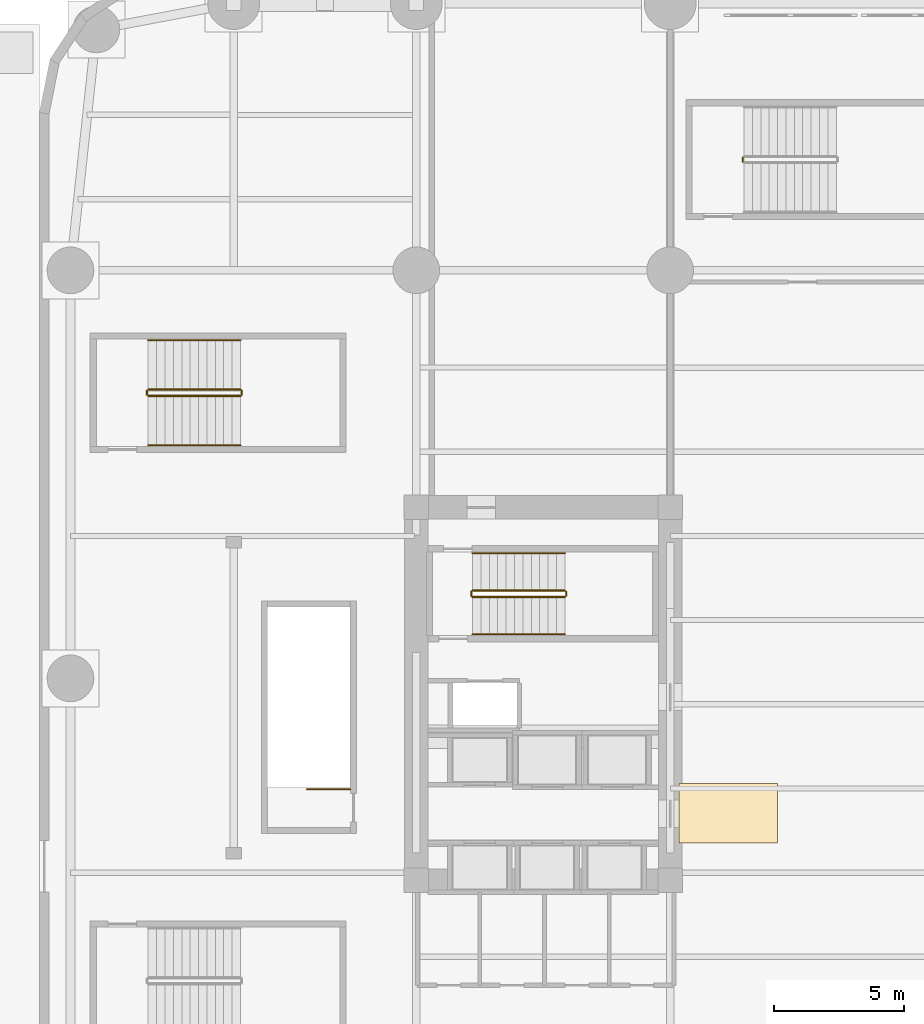
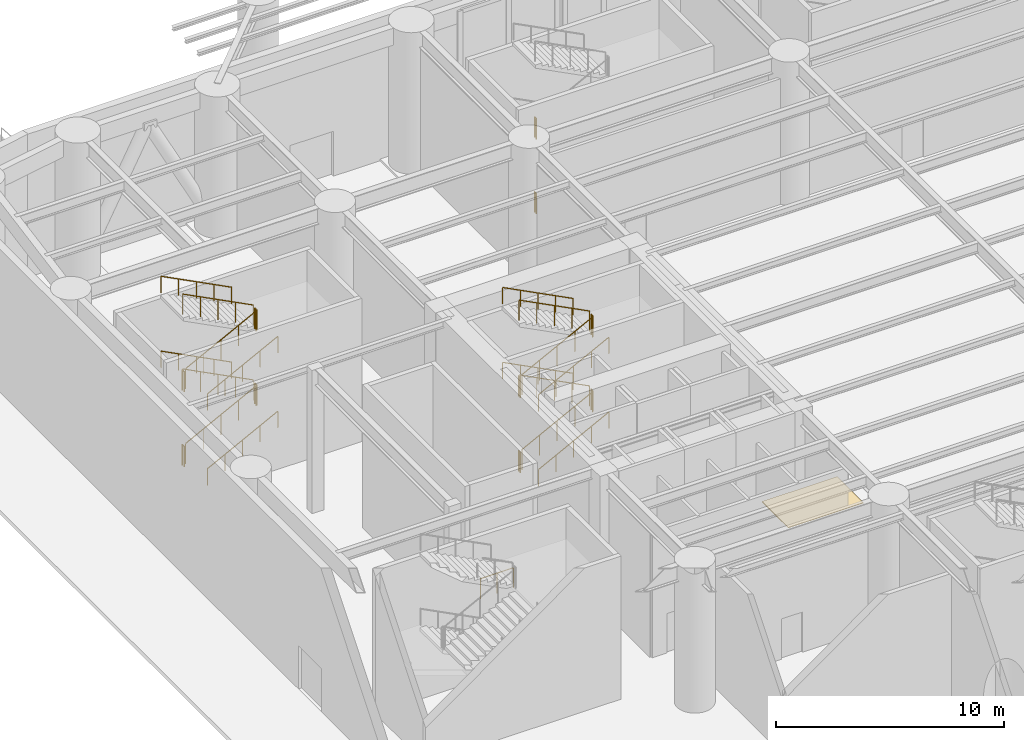
# One storey, part 18 of 25: 27 railings, 1 covering.
"""IFC4 building model written with IfcOpenShell, lengths in metres."""

from ifc_helpers import new_model, si_unit, direction, frame, origin, origin_2d, place, context, subcontext, project, spatial, polyline, circle, outline, extrude, material, layer, layer_set, type_object, element, save


model = new_model("IFC4")

# Units and contexts
model_context = context("Model", 3, precision=1e-05, world=origin(), true_north=direction((0.0, 1.0)))
body_context = subcontext(model_context, "Body", "Model", "MODEL_VIEW")
ifc_project = project(units=[si_unit("LENGTHUNIT", "METRE"), si_unit("AREAUNIT", "SQUARE_METRE"), si_unit("VOLUMEUNIT", "CUBIC_METRE"), si_unit("PLANEANGLEUNIT", "RADIAN"), si_unit("MASSUNIT", "GRAM", prefix="KILO")], contexts=[model_context])

# Site, building, storey
site_placement = place(None, origin())
site = spatial("IfcSite", under=ifc_project, at=site_placement, CompositionType="ELEMENT")
building_placement = place(site_placement, origin())
building = spatial("IfcBuilding", under=site, at=building_placement, Name="Kolvaren Arena Tower", CompositionType="ELEMENT")
storey_placement = place(building_placement, origin())
storey = spatial("IfcBuildingStorey", under=building, at=storey_placement, Name="L00", CompositionType="ELEMENT", Elevation=0.0)

# Covering
ifc_material_1 = material(Name="Polished granite terrazzo flooring", Category="masonry")
ifc_layer = layer(ifc_material_1, 0.034912109375)
ifc_layer_set = layer_set([ifc_layer], Name="Polished granite terrazzo flooring")
covering_type = type_object("IfcCoveringType", Name="FLOR-TRZ-1", PredefinedType="FLOORING", material=ifc_layer_set)
covering_placement = place(storey_placement, origin())
element("IfcCovering", 1, at=covering_placement, inside=storey, type_object=covering_type, Name="Floor Finish (L00)", PredefinedType="FLOORING", context=body_context, shape_type="SweptSolid", body=[
    extrude(outline(polyline([(24.699951171875, 20.89990234375), (24.699951171875, 23.199951171875), (28.5, 23.199951171875), (28.5, 20.89990234375), (24.699951171875, 20.89990234375)])), origin(), (0.0, 0.0, 1.0), 0.034912109375),
])

# Railings
ifc_material_2 = material(Name="Painted galvanized steel", Category="steel")
railing_type_1 = type_object("IfcRailingType", Name="GUARD-ST-110", PredefinedType="GUARDRAIL", material=ifc_material_2)
railing_1_placement = place(storey_placement, frame((16.719970703125, 30.389892578125, 0.166748046875)))
element("IfcRailing", 2, at=railing_1_placement, inside=storey, type_object=railing_type_1, Name="L00 ST-W1 stair guard 1", PredefinedType="GUARDRAIL", context=body_context, shape_type="SweptSolid", body=[
    extrude(circle(Radius=0.02392578125, at=origin_2d()), frame((0.0, 0.0, 1.076171875), z_axis=(0.889251698267, 0.0, 0.45741820813), x_axis=(0.0, 1.0, 0.0)), (0.0, 0.0, 1.0), 4.0078125),
    extrude(circle(Radius=0.02099609375, at=origin_2d()), origin(), (0.0, 0.0, 1.0), 1.052001953125),
    extrude(circle(Radius=0.02099609375, at=origin_2d()), frame((0.89111328125, 0.0, 0.458251953125)), (0.0, 0.0, 1.0), 1.052001953125),
    extrude(circle(Radius=0.02099609375, at=origin_2d()), frame((1.781982421875, 0.0, 0.91650390625)), (0.0, 0.0, 1.0), 1.052001953125),
    extrude(circle(Radius=0.02099609375, at=origin_2d()), frame((2.6728515625, 0.0, 1.375)), (0.0, 0.0, 1.0), 1.052001953125),
    extrude(circle(Radius=0.02099609375, at=origin_2d()), frame((3.56396484375, 0.0, 1.833251953125)), (0.0, 0.0, 1.0), 1.052001953125),
])
railing_2_placement = place(storey_placement, frame((20.333984375, 30.43994140625, 2.0)))
element("IfcRailing", 3, at=railing_2_placement, inside=storey, type_object=railing_type_1, Name="L00 ST-W1 stair guard 2", PredefinedType="GUARDRAIL", context=body_context, shape_type="SweptSolid", body=[
    extrude(circle(Radius=0.02392578125, at=origin_2d()), frame((0.0, 0.0, 1.076171875), z_axis=(0.0, 1.0, 0.0), x_axis=(-1.0, 0.0, 0.0)), (0.0, 0.0, 1.0), 0.150146484375),
    extrude(circle(Radius=0.02099609375, at=origin_2d()), origin(), (0.0, 0.0, 1.0), 1.052001953125),
    extrude(circle(Radius=0.02099609375, at=origin_2d()), frame((0.0, 0.150146484375, 0.0)), (0.0, 0.0, 1.0), 1.052001953125),
])
railing_3_placement = place(storey_placement, frame((20.283935546875, 30.639892578125, 2.166748046875)))
element("IfcRailing", 4, at=railing_3_placement, inside=storey, type_object=railing_type_1, Name="L00 ST-W1 stair guard 3", PredefinedType="GUARDRAIL", context=body_context, shape_type="SweptSolid", body=[
    extrude(circle(Radius=0.02392578125, at=origin_2d()), frame((0.0, 0.0, 1.076171875), z_axis=(-0.889251698267, 0.0, 0.45741820813), x_axis=(0.0, -1.0, 0.0)), (0.0, 0.0, 1.0), 4.0078125),
    extrude(circle(Radius=0.02099609375, at=origin_2d()), origin(), (0.0, 0.0, 1.0), 1.052001953125),
    extrude(circle(Radius=0.02099609375, at=origin_2d()), frame((-0.89111328125, 0.0, 0.458251953125)), (0.0, 0.0, 1.0), 1.052001953125),
    extrude(circle(Radius=0.02099609375, at=origin_2d()), frame((-1.781982421875, 0.0, 0.91650390625)), (0.0, 0.0, 1.0), 1.052001953125),
    extrude(circle(Radius=0.02099609375, at=origin_2d()), frame((-2.6728515625, 0.0, 1.375)), (0.0, 0.0, 1.0), 1.052001953125),
    extrude(circle(Radius=0.02099609375, at=origin_2d()), frame((-3.56396484375, 0.0, 1.833251953125)), (0.0, 0.0, 1.0), 1.052001953125),
])
railing_4_placement = place(storey_placement, frame((16.669921875, 30.43994140625, 4.0)))
element("IfcRailing", 5, at=railing_4_placement, inside=storey, type_object=railing_type_1, Name="L00 ST-W1 stair guard 4", PredefinedType="GUARDRAIL", context=body_context, shape_type="SweptSolid", body=[
    extrude(circle(Radius=0.02392578125, at=origin_2d()), frame((0.0, 0.0, 1.076171875), z_axis=(0.0, 1.0, 0.0), x_axis=(-1.0, 0.0, 0.0)), (0.0, 0.0, 1.0), 0.150146484375),
    extrude(circle(Radius=0.02099609375, at=origin_2d()), origin(), (0.0, 0.0, 1.0), 1.052001953125),
    extrude(circle(Radius=0.02099609375, at=origin_2d()), frame((0.0, 0.150146484375, 0.0)), (0.0, 0.0, 1.0), 1.052001953125),
])
railing_5_placement = place(storey_placement, frame((16.719970703125, 30.389892578125, 4.166748046875)))
element("IfcRailing", 6, at=railing_5_placement, inside=storey, type_object=railing_type_1, Name="L00 ST-W1 stair guard 5", PredefinedType="GUARDRAIL", context=body_context, shape_type="SweptSolid", body=[
    extrude(circle(Radius=0.02392578125, at=origin_2d()), frame((0.0, 0.0, 1.076171875), z_axis=(0.889251698267, 0.0, 0.45741820813), x_axis=(0.0, 1.0, 0.0)), (0.0, 0.0, 1.0), 4.0078125),
    extrude(circle(Radius=0.02099609375, at=origin_2d()), origin(), (0.0, 0.0, 1.0), 1.052001953125),
    extrude(circle(Radius=0.02099609375, at=origin_2d()), frame((0.89111328125, 0.0, 0.458251953125)), (0.0, 0.0, 1.0), 1.052001953125),
    extrude(circle(Radius=0.02099609375, at=origin_2d()), frame((1.781982421875, 0.0, 0.91650390625)), (0.0, 0.0, 1.0), 1.052001953125),
    extrude(circle(Radius=0.02099609375, at=origin_2d()), frame((2.6728515625, 0.0, 1.375)), (0.0, 0.0, 1.0), 1.052001953125),
    extrude(circle(Radius=0.02099609375, at=origin_2d()), frame((3.56396484375, 0.0, 1.833251953125)), (0.0, 0.0, 1.0), 1.052001953125),
])
railing_6_placement = place(storey_placement, frame((20.333984375, 30.43994140625, 6.0)))
element("IfcRailing", 7, at=railing_6_placement, inside=storey, type_object=railing_type_1, Name="L00 ST-W1 stair guard 6", PredefinedType="GUARDRAIL", context=body_context, shape_type="SweptSolid", body=[
    extrude(circle(Radius=0.02392578125, at=origin_2d()), frame((0.0, 0.0, 1.076171875), z_axis=(0.0, 1.0, 0.0), x_axis=(-1.0, 0.0, 0.0)), (0.0, 0.0, 1.0), 0.150146484375),
    extrude(circle(Radius=0.02099609375, at=origin_2d()), origin(), (0.0, 0.0, 1.0), 1.052001953125),
    extrude(circle(Radius=0.02099609375, at=origin_2d()), frame((0.0, 0.150146484375, 0.0)), (0.0, 0.0, 1.0), 1.052001953125),
])
railing_7_placement = place(storey_placement, frame((20.283935546875, 30.639892578125, 6.166748046875)))
element("IfcRailing", 8, at=railing_7_placement, inside=storey, type_object=railing_type_1, Name="L00 ST-W1 stair guard 7", PredefinedType="GUARDRAIL", context=body_context, shape_type="SweptSolid", body=[
    extrude(circle(Radius=0.02392578125, at=origin_2d()), frame((0.0, 0.0, 1.076171875), z_axis=(-0.889251698267, 0.0, 0.45741820813), x_axis=(0.0, -1.0, 0.0)), (0.0, 0.0, 1.0), 4.0078125),
    extrude(circle(Radius=0.02099609375, at=origin_2d()), origin(), (0.0, 0.0, 1.0), 1.052001953125),
    extrude(circle(Radius=0.02099609375, at=origin_2d()), frame((-0.89111328125, 0.0, 0.458251953125)), (0.0, 0.0, 1.0), 1.052001953125),
    extrude(circle(Radius=0.02099609375, at=origin_2d()), frame((-1.781982421875, 0.0, 0.91650390625)), (0.0, 0.0, 1.0), 1.052001953125),
    extrude(circle(Radius=0.02099609375, at=origin_2d()), frame((-2.6728515625, 0.0, 1.375)), (0.0, 0.0, 1.0), 1.052001953125),
    extrude(circle(Radius=0.02099609375, at=origin_2d()), frame((-3.56396484375, 0.0, 1.833251953125)), (0.0, 0.0, 1.0), 1.052001953125),
])
railing_8_placement = place(storey_placement, frame((16.669921875, 30.43994140625, 0.0)))
element("IfcRailing", 9, at=railing_8_placement, inside=storey, type_object=railing_type_1, Name="L00 ST-W1 stair guard 8", PredefinedType="GUARDRAIL", context=body_context, shape_type="SweptSolid", body=[
    extrude(circle(Radius=0.02392578125, at=origin_2d()), frame((0.0, 0.0, 1.076171875), z_axis=(0.0, 1.0, 0.0), x_axis=(-1.0, 0.0, 0.0)), (0.0, 0.0, 1.0), 0.150146484375),
    extrude(circle(Radius=0.02099609375, at=origin_2d()), origin(), (0.0, 0.0, 1.0), 1.052001953125),
    extrude(circle(Radius=0.02099609375, at=origin_2d()), frame((0.0, 0.150146484375, 0.0)), (0.0, 0.0, 1.0), 1.052001953125),
])
railing_9_placement = place(storey_placement, frame((4.199951171875, 38.14990234375, 0.166748046875)))
element("IfcRailing", 10, at=railing_9_placement, inside=storey, type_object=railing_type_1, Name="L00 ST-A5 stair guard 1", PredefinedType="GUARDRAIL", context=body_context, shape_type="SweptSolid", body=[
    extrude(circle(Radius=0.02392578125, at=origin_2d()), frame((0.0, 0.0, 1.076171875), z_axis=(0.889251698267, 0.0, 0.45741820813), x_axis=(0.0, 1.0, 0.0)), (0.0, 0.0, 1.0), 4.0078125),
    extrude(circle(Radius=0.02099609375, at=origin_2d()), origin(), (0.0, 0.0, 1.0), 1.052001953125),
    extrude(circle(Radius=0.02099609375, at=origin_2d()), frame((0.89111328125, 0.0, 0.458251953125)), (0.0, 0.0, 1.0), 1.052001953125),
    extrude(circle(Radius=0.02099609375, at=origin_2d()), frame((1.781982421875, 0.0, 0.91650390625)), (0.0, 0.0, 1.0), 1.052001953125),
    extrude(circle(Radius=0.02099609375, at=origin_2d()), frame((2.6728515625, 0.0, 1.375)), (0.0, 0.0, 1.0), 1.052001953125),
    extrude(circle(Radius=0.02099609375, at=origin_2d()), frame((3.56396484375, 0.0, 1.833251953125)), (0.0, 0.0, 1.0), 1.052001953125),
])
railing_10_placement = place(storey_placement, frame((7.81396484375, 38.199951171875, 2.0)))
element("IfcRailing", 11, at=railing_10_placement, inside=storey, type_object=railing_type_1, Name="L00 ST-A5 stair guard 2", PredefinedType="GUARDRAIL", context=body_context, shape_type="SweptSolid", body=[
    extrude(circle(Radius=0.02392578125, at=origin_2d()), frame((0.0, 0.0, 1.076171875), z_axis=(0.0, 1.0, 0.0), x_axis=(-1.0, 0.0, 0.0)), (0.0, 0.0, 1.0), 0.150146484375),
    extrude(circle(Radius=0.02099609375, at=origin_2d()), origin(), (0.0, 0.0, 1.0), 1.052001953125),
    extrude(circle(Radius=0.02099609375, at=origin_2d()), frame((0.0, 0.150146484375, 0.0)), (0.0, 0.0, 1.0), 1.052001953125),
])
railing_11_placement = place(storey_placement, frame((7.763916015625, 38.39990234375, 2.166748046875)))
element("IfcRailing", 12, at=railing_11_placement, inside=storey, type_object=railing_type_1, Name="L00 ST-A5 stair guard 3", PredefinedType="GUARDRAIL", context=body_context, shape_type="SweptSolid", body=[
    extrude(circle(Radius=0.02392578125, at=origin_2d()), frame((0.0, 0.0, 1.076171875), z_axis=(-0.889251698267, 0.0, 0.45741820813), x_axis=(0.0, -1.0, 0.0)), (0.0, 0.0, 1.0), 4.0078125),
    extrude(circle(Radius=0.02099609375, at=origin_2d()), origin(), (0.0, 0.0, 1.0), 1.052001953125),
    extrude(circle(Radius=0.02099609375, at=origin_2d()), frame((-0.89111328125, 0.0, 0.458251953125)), (0.0, 0.0, 1.0), 1.052001953125),
    extrude(circle(Radius=0.02099609375, at=origin_2d()), frame((-1.781982421875, 0.0, 0.91650390625)), (0.0, 0.0, 1.0), 1.052001953125),
    extrude(circle(Radius=0.02099609375, at=origin_2d()), frame((-2.6728515625, 0.0, 1.375)), (0.0, 0.0, 1.0), 1.052001953125),
    extrude(circle(Radius=0.02099609375, at=origin_2d()), frame((-3.56396484375, 0.0, 1.833251953125)), (0.0, 0.0, 1.0), 1.052001953125),
])
railing_12_placement = place(storey_placement, frame((4.14990234375, 38.199951171875, 4.0)))
element("IfcRailing", 13, at=railing_12_placement, inside=storey, type_object=railing_type_1, Name="L00 ST-A5 stair guard 4", PredefinedType="GUARDRAIL", context=body_context, shape_type="SweptSolid", body=[
    extrude(circle(Radius=0.02392578125, at=origin_2d()), frame((0.0, 0.0, 1.076171875), z_axis=(0.0, 1.0, 0.0), x_axis=(-1.0, 0.0, 0.0)), (0.0, 0.0, 1.0), 0.150146484375),
    extrude(circle(Radius=0.02099609375, at=origin_2d()), origin(), (0.0, 0.0, 1.0), 1.052001953125),
    extrude(circle(Radius=0.02099609375, at=origin_2d()), frame((0.0, 0.150146484375, 0.0)), (0.0, 0.0, 1.0), 1.052001953125),
])
railing_13_placement = place(storey_placement, frame((4.199951171875, 38.14990234375, 4.166748046875)))
element("IfcRailing", 14, at=railing_13_placement, inside=storey, type_object=railing_type_1, Name="L00 ST-A5 stair guard 5", PredefinedType="GUARDRAIL", context=body_context, shape_type="SweptSolid", body=[
    extrude(circle(Radius=0.02392578125, at=origin_2d()), frame((0.0, 0.0, 1.076171875), z_axis=(0.889251698267, 0.0, 0.45741820813), x_axis=(0.0, 1.0, 0.0)), (0.0, 0.0, 1.0), 4.0078125),
    extrude(circle(Radius=0.02099609375, at=origin_2d()), origin(), (0.0, 0.0, 1.0), 1.052001953125),
    extrude(circle(Radius=0.02099609375, at=origin_2d()), frame((0.89111328125, 0.0, 0.458251953125)), (0.0, 0.0, 1.0), 1.052001953125),
    extrude(circle(Radius=0.02099609375, at=origin_2d()), frame((1.781982421875, 0.0, 0.91650390625)), (0.0, 0.0, 1.0), 1.052001953125),
    extrude(circle(Radius=0.02099609375, at=origin_2d()), frame((2.6728515625, 0.0, 1.375)), (0.0, 0.0, 1.0), 1.052001953125),
    extrude(circle(Radius=0.02099609375, at=origin_2d()), frame((3.56396484375, 0.0, 1.833251953125)), (0.0, 0.0, 1.0), 1.052001953125),
])
railing_14_placement = place(storey_placement, frame((7.81396484375, 38.199951171875, 6.0)))
element("IfcRailing", 15, at=railing_14_placement, inside=storey, type_object=railing_type_1, Name="L00 ST-A5 stair guard 6", PredefinedType="GUARDRAIL", context=body_context, shape_type="SweptSolid", body=[
    extrude(circle(Radius=0.02392578125, at=origin_2d()), frame((0.0, 0.0, 1.076171875), z_axis=(0.0, 1.0, 0.0), x_axis=(-1.0, 0.0, 0.0)), (0.0, 0.0, 1.0), 0.150146484375),
    extrude(circle(Radius=0.02099609375, at=origin_2d()), origin(), (0.0, 0.0, 1.0), 1.052001953125),
    extrude(circle(Radius=0.02099609375, at=origin_2d()), frame((0.0, 0.150146484375, 0.0)), (0.0, 0.0, 1.0), 1.052001953125),
])
railing_15_placement = place(storey_placement, frame((7.763916015625, 38.39990234375, 6.166748046875)))
element("IfcRailing", 16, at=railing_15_placement, inside=storey, type_object=railing_type_1, Name="L00 ST-A5 stair guard 7", PredefinedType="GUARDRAIL", context=body_context, shape_type="SweptSolid", body=[
    extrude(circle(Radius=0.02392578125, at=origin_2d()), frame((0.0, 0.0, 1.076171875), z_axis=(-0.889251698267, 0.0, 0.45741820813), x_axis=(0.0, -1.0, 0.0)), (0.0, 0.0, 1.0), 4.0078125),
    extrude(circle(Radius=0.02099609375, at=origin_2d()), origin(), (0.0, 0.0, 1.0), 1.052001953125),
    extrude(circle(Radius=0.02099609375, at=origin_2d()), frame((-0.89111328125, 0.0, 0.458251953125)), (0.0, 0.0, 1.0), 1.052001953125),
    extrude(circle(Radius=0.02099609375, at=origin_2d()), frame((-1.781982421875, 0.0, 0.91650390625)), (0.0, 0.0, 1.0), 1.052001953125),
    extrude(circle(Radius=0.02099609375, at=origin_2d()), frame((-2.6728515625, 0.0, 1.375)), (0.0, 0.0, 1.0), 1.052001953125),
    extrude(circle(Radius=0.02099609375, at=origin_2d()), frame((-3.56396484375, 0.0, 1.833251953125)), (0.0, 0.0, 1.0), 1.052001953125),
])
for number, where, name in (
    (17, (4.14990234375, 38.199951171875, 0.0), "L00 ST-A5 stair guard 8"),
    (18, (27.14990234375, 47.199951171875, 4.0), "L00 ST-A6 stair guard 4"),
    (19, (27.14990234375, 47.199951171875, 0.0), "L00 ST-A6 stair guard 8"),
):
    element("IfcRailing", number, at=place(storey_placement, frame(where)), inside=storey, type_object=railing_type_1, Name=name, PredefinedType="GUARDRAIL", context=body_context, shape_type="SweptSolid", body=[
        extrude(circle(Radius=0.02392578125, at=origin_2d()), frame((0.0, 0.0, 1.076171875), z_axis=(0.0, 1.0, 0.0), x_axis=(-1.0, 0.0, 0.0)), (0.0, 0.0, 1.0), 0.150146484375),
        extrude(circle(Radius=0.02099609375, at=origin_2d()), origin(), (0.0, 0.0, 1.0), 1.052001953125),
        extrude(circle(Radius=0.02099609375, at=origin_2d()), frame((0.0, 0.150146484375, 0.0)), (0.0, 0.0, 1.0), 1.052001953125),
    ])
railing_16_placement = place(storey_placement, frame((12.0, 22.969970703125, 0.0)))
element("IfcRailing", 20, at=railing_16_placement, inside=storey, type_object=railing_type_1, Name="L00 ST-B1 top well guard 1", PredefinedType="GUARDRAIL", context=body_context, shape_type="SweptSolid", body=[
    extrude(circle(Radius=0.02392578125, at=origin_2d()), frame((0.0, 0.0, 1.076171875), z_axis=(-1.0, 0.0, 0.0), x_axis=(0.0, -1.0, 0.0)), (0.0, 0.0, 1.0), 1.669921875),
    extrude(circle(Radius=0.02099609375, at=origin_2d()), origin(), (0.0, 0.0, 1.0), 1.052001953125),
    extrude(circle(Radius=0.02099609375, at=origin_2d()), frame((-0.8349609375, 0.0, 0.0)), (0.0, 0.0, 1.0), 1.052001953125),
    extrude(circle(Radius=0.02099609375, at=origin_2d()), frame((-1.669921875, 0.0, 0.0)), (0.0, 0.0, 1.0), 1.052001953125),
])
ifc_material_3 = material(Name="Brushed stainless steel handrail", Category="steel")
railing_type_2 = type_object("IfcRailingType", Name="HRAIL-900", PredefinedType="HANDRAIL", material=ifc_material_3)
railing_17_placement = place(storey_placement, frame((16.719970703125, 28.949951171875, 0.166748046875)))
element("IfcRailing", 21, at=railing_17_placement, inside=storey, type_object=railing_type_2, Name="L00 ST-W1 stair handrail 1", PredefinedType="HANDRAIL", context=body_context, shape_type="SweptSolid", body=[
    extrude(circle(Radius=0.02392578125, at=origin_2d()), frame((0.0, 0.0, 0.8759765625), z_axis=(0.889251698267, 0.0, 0.45741820813), x_axis=(0.0, 1.0, 0.0)), (0.0, 0.0, 1.0), 4.0078125),
    extrude(circle(Radius=0.02099609375, at=origin_2d()), origin(), (0.0, 0.0, 1.0), 0.851806640625),
    extrude(circle(Radius=0.02099609375, at=origin_2d()), frame((0.89111328125, 0.0, 0.458251953125)), (0.0, 0.0, 1.0), 0.851806640625),
    extrude(circle(Radius=0.02099609375, at=origin_2d()), frame((1.781982421875, 0.0, 0.91650390625)), (0.0, 0.0, 1.0), 0.851806640625),
    extrude(circle(Radius=0.02099609375, at=origin_2d()), frame((2.6728515625, 0.0, 1.375)), (0.0, 0.0, 1.0), 0.851806640625),
    extrude(circle(Radius=0.02099609375, at=origin_2d()), frame((3.56396484375, 0.0, 1.833251953125)), (0.0, 0.0, 1.0), 0.851806640625),
])
railing_18_placement = place(storey_placement, frame((20.283935546875, 32.080078125, 2.166748046875)))
element("IfcRailing", 22, at=railing_18_placement, inside=storey, type_object=railing_type_2, Name="L00 ST-W1 stair handrail 2", PredefinedType="HANDRAIL", context=body_context, shape_type="SweptSolid", body=[
    extrude(circle(Radius=0.02392578125, at=origin_2d()), frame((0.0, 0.0, 0.8759765625), z_axis=(-0.889251698267, 0.0, 0.45741820813), x_axis=(0.0, -1.0, 0.0)), (0.0, 0.0, 1.0), 4.0078125),
    extrude(circle(Radius=0.02099609375, at=origin_2d()), origin(), (0.0, 0.0, 1.0), 0.851806640625),
    extrude(circle(Radius=0.02099609375, at=origin_2d()), frame((-0.89111328125, 0.0, 0.458251953125)), (0.0, 0.0, 1.0), 0.851806640625),
    extrude(circle(Radius=0.02099609375, at=origin_2d()), frame((-1.781982421875, 0.0, 0.91650390625)), (0.0, 0.0, 1.0), 0.851806640625),
    extrude(circle(Radius=0.02099609375, at=origin_2d()), frame((-2.6728515625, 0.0, 1.375)), (0.0, 0.0, 1.0), 0.851806640625),
    extrude(circle(Radius=0.02099609375, at=origin_2d()), frame((-3.56396484375, 0.0, 1.833251953125)), (0.0, 0.0, 1.0), 0.851806640625),
])
railing_19_placement = place(storey_placement, frame((16.719970703125, 28.949951171875, 4.166748046875)))
element("IfcRailing", 23, at=railing_19_placement, inside=storey, type_object=railing_type_2, Name="L00 ST-W1 stair handrail 3", PredefinedType="HANDRAIL", context=body_context, shape_type="SweptSolid", body=[
    extrude(circle(Radius=0.02392578125, at=origin_2d()), frame((0.0, 0.0, 0.8759765625), z_axis=(0.889251698267, 0.0, 0.45741820813), x_axis=(0.0, 1.0, 0.0)), (0.0, 0.0, 1.0), 4.0078125),
    extrude(circle(Radius=0.02099609375, at=origin_2d()), origin(), (0.0, 0.0, 1.0), 0.851806640625),
    extrude(circle(Radius=0.02099609375, at=origin_2d()), frame((0.89111328125, 0.0, 0.458251953125)), (0.0, 0.0, 1.0), 0.851806640625),
    extrude(circle(Radius=0.02099609375, at=origin_2d()), frame((1.781982421875, 0.0, 0.91650390625)), (0.0, 0.0, 1.0), 0.851806640625),
    extrude(circle(Radius=0.02099609375, at=origin_2d()), frame((2.6728515625, 0.0, 1.375)), (0.0, 0.0, 1.0), 0.851806640625),
    extrude(circle(Radius=0.02099609375, at=origin_2d()), frame((3.56396484375, 0.0, 1.833251953125)), (0.0, 0.0, 1.0), 0.851806640625),
])
railing_20_placement = place(storey_placement, frame((20.283935546875, 32.080078125, 6.166748046875)))
element("IfcRailing", 24, at=railing_20_placement, inside=storey, type_object=railing_type_2, Name="L00 ST-W1 stair handrail 4", PredefinedType="HANDRAIL", context=body_context, shape_type="SweptSolid", body=[
    extrude(circle(Radius=0.02392578125, at=origin_2d()), frame((0.0, 0.0, 0.8759765625), z_axis=(-0.889251698267, 0.0, 0.45741820813), x_axis=(0.0, -1.0, 0.0)), (0.0, 0.0, 1.0), 4.0078125),
    extrude(circle(Radius=0.02099609375, at=origin_2d()), origin(), (0.0, 0.0, 1.0), 0.851806640625),
    extrude(circle(Radius=0.02099609375, at=origin_2d()), frame((-0.89111328125, 0.0, 0.458251953125)), (0.0, 0.0, 1.0), 0.851806640625),
    extrude(circle(Radius=0.02099609375, at=origin_2d()), frame((-1.781982421875, 0.0, 0.91650390625)), (0.0, 0.0, 1.0), 0.851806640625),
    extrude(circle(Radius=0.02099609375, at=origin_2d()), frame((-2.6728515625, 0.0, 1.375)), (0.0, 0.0, 1.0), 0.851806640625),
    extrude(circle(Radius=0.02099609375, at=origin_2d()), frame((-3.56396484375, 0.0, 1.833251953125)), (0.0, 0.0, 1.0), 0.851806640625),
])
railing_21_placement = place(storey_placement, frame((4.199951171875, 36.25, 0.166748046875)))
element("IfcRailing", 25, at=railing_21_placement, inside=storey, type_object=railing_type_2, Name="L00 ST-A5 stair handrail 1", PredefinedType="HANDRAIL", context=body_context, shape_type="SweptSolid", body=[
    extrude(circle(Radius=0.02392578125, at=origin_2d()), frame((0.0, 0.0, 0.8759765625), z_axis=(0.889251698267, 0.0, 0.45741820813), x_axis=(0.0, 1.0, 0.0)), (0.0, 0.0, 1.0), 4.0078125),
    extrude(circle(Radius=0.02099609375, at=origin_2d()), origin(), (0.0, 0.0, 1.0), 0.851806640625),
    extrude(circle(Radius=0.02099609375, at=origin_2d()), frame((0.89111328125, 0.0, 0.458251953125)), (0.0, 0.0, 1.0), 0.851806640625),
    extrude(circle(Radius=0.02099609375, at=origin_2d()), frame((1.781982421875, 0.0, 0.91650390625)), (0.0, 0.0, 1.0), 0.851806640625),
    extrude(circle(Radius=0.02099609375, at=origin_2d()), frame((2.6728515625, 0.0, 1.375)), (0.0, 0.0, 1.0), 0.851806640625),
    extrude(circle(Radius=0.02099609375, at=origin_2d()), frame((3.56396484375, 0.0, 1.833251953125)), (0.0, 0.0, 1.0), 0.851806640625),
])
railing_22_placement = place(storey_placement, frame((7.763916015625, 40.300048828125, 2.166748046875)))
element("IfcRailing", 26, at=railing_22_placement, inside=storey, type_object=railing_type_2, Name="L00 ST-A5 stair handrail 2", PredefinedType="HANDRAIL", context=body_context, shape_type="SweptSolid", body=[
    extrude(circle(Radius=0.02392578125, at=origin_2d()), frame((0.0, 0.0, 0.8759765625), z_axis=(-0.889251698267, 0.0, 0.45741820813), x_axis=(0.0, -1.0, 0.0)), (0.0, 0.0, 1.0), 4.0078125),
    extrude(circle(Radius=0.02099609375, at=origin_2d()), origin(), (0.0, 0.0, 1.0), 0.851806640625),
    extrude(circle(Radius=0.02099609375, at=origin_2d()), frame((-0.89111328125, 0.0, 0.458251953125)), (0.0, 0.0, 1.0), 0.851806640625),
    extrude(circle(Radius=0.02099609375, at=origin_2d()), frame((-1.781982421875, 0.0, 0.91650390625)), (0.0, 0.0, 1.0), 0.851806640625),
    extrude(circle(Radius=0.02099609375, at=origin_2d()), frame((-2.6728515625, 0.0, 1.375)), (0.0, 0.0, 1.0), 0.851806640625),
    extrude(circle(Radius=0.02099609375, at=origin_2d()), frame((-3.56396484375, 0.0, 1.833251953125)), (0.0, 0.0, 1.0), 0.851806640625),
])
railing_23_placement = place(storey_placement, frame((4.199951171875, 36.25, 4.166748046875)))
element("IfcRailing", 27, at=railing_23_placement, inside=storey, type_object=railing_type_2, Name="L00 ST-A5 stair handrail 3", PredefinedType="HANDRAIL", context=body_context, shape_type="SweptSolid", body=[
    extrude(circle(Radius=0.02392578125, at=origin_2d()), frame((0.0, 0.0, 0.8759765625), z_axis=(0.889251698267, 0.0, 0.45741820813), x_axis=(0.0, 1.0, 0.0)), (0.0, 0.0, 1.0), 4.0078125),
    extrude(circle(Radius=0.02099609375, at=origin_2d()), origin(), (0.0, 0.0, 1.0), 0.851806640625),
    extrude(circle(Radius=0.02099609375, at=origin_2d()), frame((0.89111328125, 0.0, 0.458251953125)), (0.0, 0.0, 1.0), 0.851806640625),
    extrude(circle(Radius=0.02099609375, at=origin_2d()), frame((1.781982421875, 0.0, 0.91650390625)), (0.0, 0.0, 1.0), 0.851806640625),
    extrude(circle(Radius=0.02099609375, at=origin_2d()), frame((2.6728515625, 0.0, 1.375)), (0.0, 0.0, 1.0), 0.851806640625),
    extrude(circle(Radius=0.02099609375, at=origin_2d()), frame((3.56396484375, 0.0, 1.833251953125)), (0.0, 0.0, 1.0), 0.851806640625),
])
railing_24_placement = place(storey_placement, frame((7.763916015625, 40.300048828125, 6.166748046875)))
element("IfcRailing", 28, at=railing_24_placement, inside=storey, type_object=railing_type_2, Name="L00 ST-A5 stair handrail 4", PredefinedType="HANDRAIL", context=body_context, shape_type="SweptSolid", body=[
    extrude(circle(Radius=0.02392578125, at=origin_2d()), frame((0.0, 0.0, 0.8759765625), z_axis=(-0.889251698267, 0.0, 0.45741820813), x_axis=(0.0, -1.0, 0.0)), (0.0, 0.0, 1.0), 4.0078125),
    extrude(circle(Radius=0.02099609375, at=origin_2d()), origin(), (0.0, 0.0, 1.0), 0.851806640625),
    extrude(circle(Radius=0.02099609375, at=origin_2d()), frame((-0.89111328125, 0.0, 0.458251953125)), (0.0, 0.0, 1.0), 0.851806640625),
    extrude(circle(Radius=0.02099609375, at=origin_2d()), frame((-1.781982421875, 0.0, 0.91650390625)), (0.0, 0.0, 1.0), 0.851806640625),
    extrude(circle(Radius=0.02099609375, at=origin_2d()), frame((-2.6728515625, 0.0, 1.375)), (0.0, 0.0, 1.0), 0.851806640625),
    extrude(circle(Radius=0.02099609375, at=origin_2d()), frame((-3.56396484375, 0.0, 1.833251953125)), (0.0, 0.0, 1.0), 0.851806640625),
])

save(model, "model.ifc")
